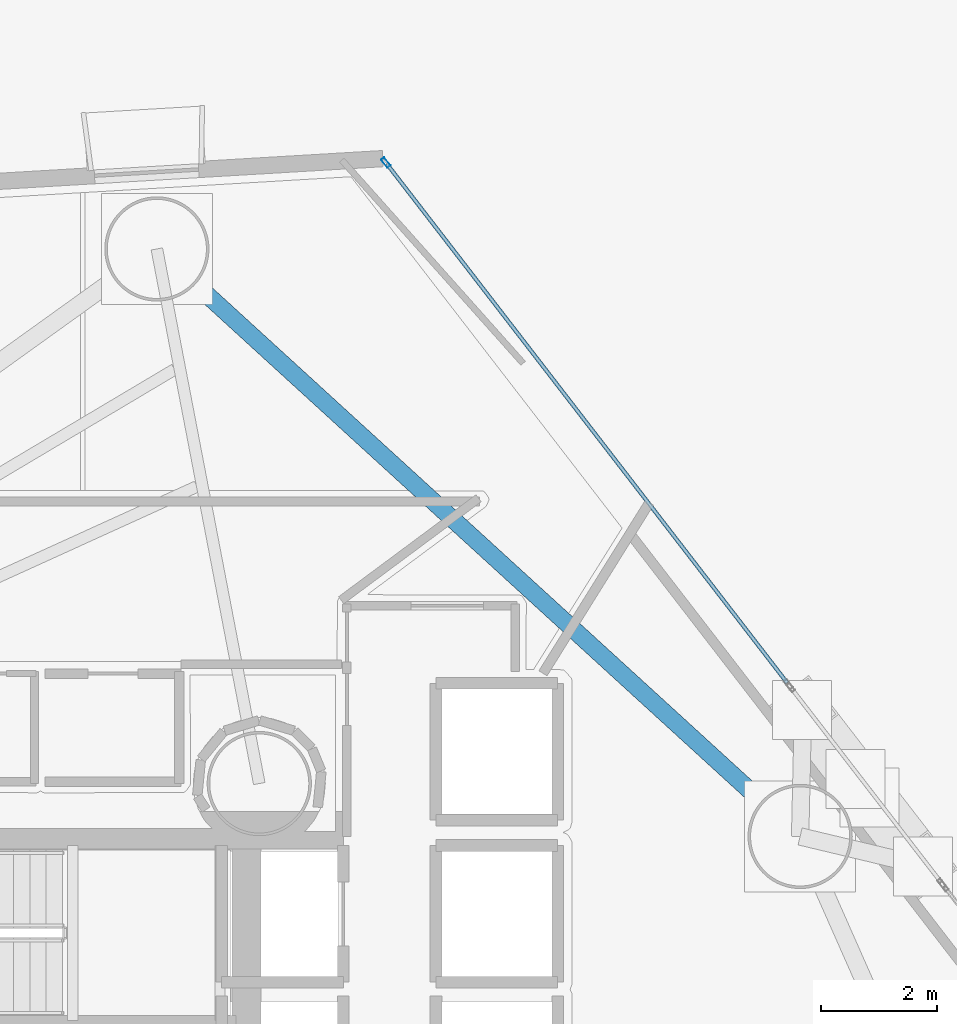
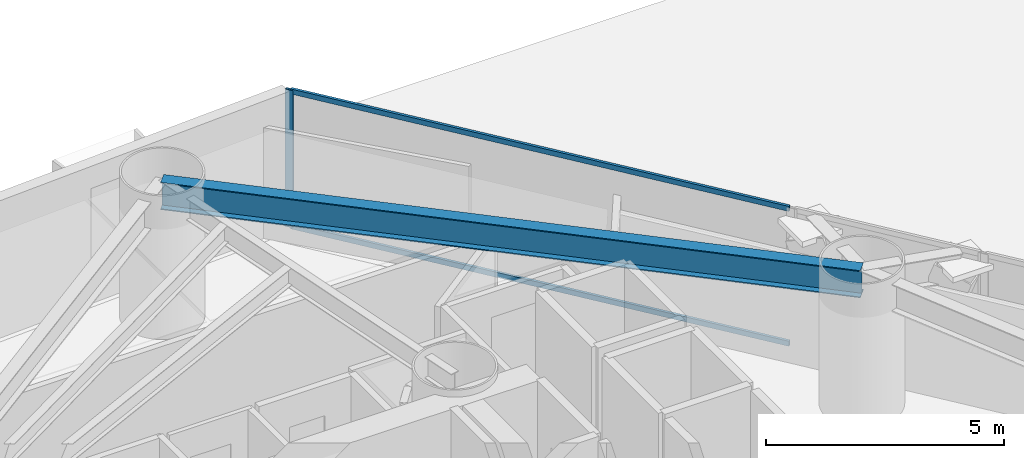
# One storey, part 14 of 22: 3 members, 1 beam, 1 element without a shape of its own.
"""IFC4 building model written with IfcOpenShell, lengths in metres."""

from ifc_helpers import new_model, si_unit, direction, frame, origin, origin_2d, place, context, subcontext, project, spatial, hollow_rectangle, i_section, extrude, material, layer, layer_set, material_profile, profile_set, type_object, element, aggregate, save


model = new_model("IFC4")

# Units and contexts
model_context = context("Model", 3, precision=1e-05, world=origin(), true_north=direction((0.0, 1.0)))
body_context = subcontext(model_context, "Body", "Model", "MODEL_VIEW")
ifc_project = project(units=[si_unit("LENGTHUNIT", "METRE"), si_unit("AREAUNIT", "SQUARE_METRE"), si_unit("VOLUMEUNIT", "CUBIC_METRE"), si_unit("PLANEANGLEUNIT", "RADIAN"), si_unit("MASSUNIT", "GRAM", prefix="KILO")], contexts=[model_context])

# Site, building, storey
site_placement = place(None, origin())
site = spatial("IfcSite", under=ifc_project, at=site_placement, CompositionType="ELEMENT")
building_placement = place(site_placement, origin())
building = spatial("IfcBuilding", under=site, at=building_placement, Name="Qianvela Tower", CompositionType="ELEMENT")
storey_placement = place(building_placement, frame((0.0, 0.0, 25.699951171875)))
storey = spatial("IfcBuildingStorey", under=building, at=storey_placement, Name="L05", CompositionType="ELEMENT", Elevation=25.699951171875)

# Beam
ifc_material_1 = material(Name="Steel Q355B", Category="steel")
ifc_material_profile_1 = material_profile(ifc_material_1, i_section(OverallWidth=0.300048828125, OverallDepth=0.699951171875, WebThickness=0.012939453125, FlangeThickness=0.02392578125, at=origin_2d()), Name="HN700x300x13x24")
ifc_profile_set_1 = profile_set([ifc_material_profile_1], Name="Steel Q355B")
beam_type = type_object("IfcBeamType", Name="BM-HN700-SPAND", PredefinedType="SPANDREL", material=ifc_profile_set_1)
beam_placement = place(storey_placement, frame((47.736083984375, 32.636962890625, 3.16796875), z_axis=(-0.738396915155, 0.674366366072, 0.0), x_axis=(-0.674366366072, -0.738396915155, 0.0)))
element("IfcBeam", 1, at=beam_placement, inside=storey, type_object=beam_type, Name="L05 Perimeter Ring Spandrel Girder 2", PredefinedType="SPANDREL", context=body_context, shape_type="SweptSolid", body=[
    extrude(i_section(OverallWidth=0.300048828125, OverallDepth=0.699951171875, WebThickness=0.012939453125, FlangeThickness=0.02392578125, at=origin_2d()), origin(), (0.0, 0.0, 1.0), 15.0380859375),
])

# Curtain wall, members
ifc_material_2 = material(Name="Anodised Architectural Aluminium and Low-E Glass", Category="aluminium")
ifc_layer = layer(ifc_material_2, 0.179931640625)
ifc_layer_set = layer_set([ifc_layer], Name="Anodised Architectural Aluminium and Low-E Glass")
curtain_wall_type = type_object("IfcCurtainWallType", Name="CW-COLIV-Z12", PredefinedType="USERDEFINED", material=ifc_layer_set)
curtain_wall_placement = place(storey_placement, origin())
curtain_wall = element("IfcCurtainWall", 2, at=curtain_wall_placement, inside=storey, type_object=curtain_wall_type, Name="L05 CW-COLIV-Z12 Curtain Wall 02C", ObjectType="CURTAIN_WALL_SYSTEM", PredefinedType="USERDEFINED")
ifc_material_3 = material(Name="Anodised Architectural Aluminium 6063-T6", Category="aluminium")
ifc_material_profile_2 = material_profile(ifc_material_3, hollow_rectangle(XDim=0.070068359375, YDim=0.179931640625, WallThickness=0.0048828125, at=origin_2d()), Name="ALU-MULL-70x180")
ifc_profile_set_2 = profile_set([ifc_material_profile_2], Name="Anodised Architectural Aluminium 6063-T6")
member_type_1 = type_object("IfcMemberType", Name="CW-COLIV-Z12-MULL", PredefinedType="MULLION", material=ifc_profile_set_2)
member_1_placement = place(storey_placement, frame((40.583984375, 44.270263671875, 0.0), z_axis=(0.0, 0.0, 1.0), x_axis=(-0.79178635967, -0.610798134117, 0.0)))
member_1 = element("IfcMember", 3, at=member_1_placement, type_object=member_type_1, Name="CW-3 mullion 2", PredefinedType="MULLION", context=body_context, shape_type="SweptSolid", body=[
    extrude(hollow_rectangle(XDim=0.070068359375, YDim=0.179931640625, WallThickness=0.0048828125, at=origin_2d()), origin(), (0.0, 0.0, 1.0), 3.52001953125),
])
ifc_material_4 = material(Name="Anodised Architectural Aluminium 6063-T6", Category="aluminium")
ifc_material_profile_3 = material_profile(ifc_material_4, hollow_rectangle(XDim=0.06494140625, YDim=0.1298828125, WallThickness=0.00439453125, at=origin_2d()), Name="ALU-TRAN-65x130")
ifc_profile_set_3 = profile_set([ifc_material_profile_3], Name="Anodised Architectural Aluminium 6063-T6")
member_type_2 = type_object("IfcMemberType", Name="CW-COLIV-Z12-TRAN", PredefinedType="USERDEFINED", material=ifc_profile_set_3)
member_2_placement = place(storey_placement, frame((47.51171875, 35.28955078125, 0.032470703125), z_axis=(-0.610802680798, 0.791782852258, 0.0), x_axis=(-0.791782852258, -0.610802680798, 0.0)))
member_2 = element("IfcMember", 4, at=member_2_placement, type_object=member_type_2, Name="CW-3 transom 1.1", ObjectType="TRANSOM", PredefinedType="USERDEFINED", context=body_context, shape_type="SweptSolid", body=[
    extrude(hollow_rectangle(XDim=0.06494140625, YDim=0.1298828125, WallThickness=0.00439453125, at=origin_2d()), origin(), (0.0, 0.0, 1.0), 11.30712890625),
])
member_3_placement = place(storey_placement, frame((47.51171875, 35.28955078125, 3.487548828125), z_axis=(-0.610802680798, 0.791782852258, 0.0), x_axis=(-0.791782852258, -0.610802680798, 0.0)))
member_3 = element("IfcMember", 5, at=member_3_placement, type_object=member_type_2, Name="CW-3 transom 1.2", ObjectType="TRANSOM", PredefinedType="USERDEFINED", context=body_context, shape_type="SweptSolid", body=[
    extrude(hollow_rectangle(XDim=0.06494140625, YDim=0.1298828125, WallThickness=0.00439453125, at=origin_2d()), origin(), (0.0, 0.0, 1.0), 11.30712890625),
])
aggregate(curtain_wall, [member_1, member_2, member_3])

save(model, "model.ifc")
